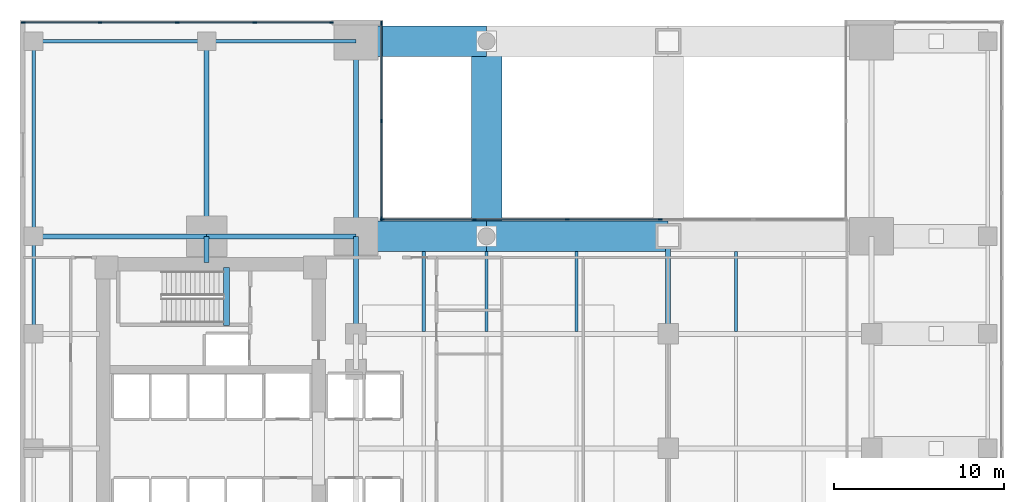
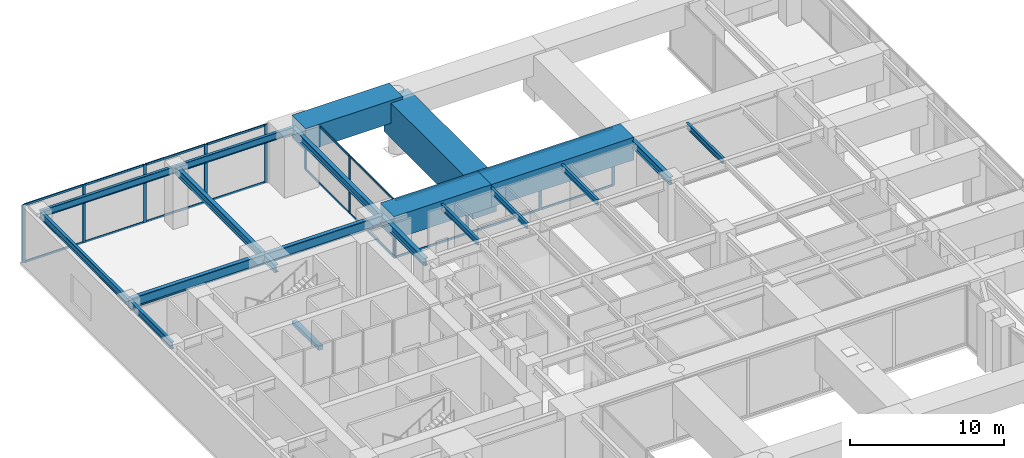
# One storey, part 5 of 13: 30 members, 20 beams, 3 elements without a shape of their own.
"""IFC4 building model written with IfcOpenShell, lengths in metres."""

from ifc_helpers import new_model, si_unit, direction, frame, origin, origin_2d, place, context, subcontext, project, spatial, rectangle, i_section, extrude, material, layer, layer_set, material_profile, profile_set, type_object, element, aggregate, save


model = new_model("IFC4")

# Units and contexts
model_context = context("Model", 3, precision=1e-05, world=origin(), true_north=direction((0.0, 1.0)))
body_context = subcontext(model_context, "Body", "Model", "MODEL_VIEW")
ifc_project = project(units=[si_unit("LENGTHUNIT", "METRE"), si_unit("AREAUNIT", "SQUARE_METRE"), si_unit("VOLUMEUNIT", "CUBIC_METRE"), si_unit("PLANEANGLEUNIT", "RADIAN"), si_unit("MASSUNIT", "GRAM", prefix="KILO")], contexts=[model_context])

# Site, building, storey
site_placement = place(None, origin())
site = spatial("IfcSite", under=ifc_project, at=site_placement, CompositionType="ELEMENT")
building_placement = place(site_placement, origin())
building = spatial("IfcBuilding", under=site, at=building_placement, Name="Kinhvarn Gate Tower", CompositionType="ELEMENT")
storey_placement = place(building_placement, frame((0.0, 0.0, 15.60009765625)))
storey = spatial("IfcBuildingStorey", under=building, at=storey_placement, Name="L03", CompositionType="ELEMENT", Elevation=15.60009765625)

# Beams
ifc_material_1 = material(Name="Concrete C50/60", Category="concrete")
ifc_material_profile_1 = material_profile(ifc_material_1, rectangle(XDim=0.340087890625, YDim=0.320068359375, at=origin_2d()), Name="RC 340x320")
ifc_profile_set_1 = profile_set([ifc_material_profile_1], Name="Concrete C50/60")
beam_type_1 = type_object("IfcBeamType", Name="BM-LND-500", PredefinedType="BEAM", material=ifc_profile_set_1)
beam_1_placement = place(storey_placement, frame((12.1650390625, 32.5, -0.16015625), z_axis=(0.0, 1.0, 0.0), x_axis=(-1.0, 0.0, 0.0)))
element("IfcBeam", 1, at=beam_1_placement, inside=storey, type_object=beam_type_1, Name="Stair ST2 Landing Nosing Beam (L03)", PredefinedType="BEAM", context=body_context, shape_type="SweptSolid", body=[
    extrude(rectangle(XDim=0.340087890625, YDim=0.320068359375, at=origin_2d()), origin(), (0.0, 0.0, 1.0), 3.39990234375),
])
ifc_material_2 = material(Name="Concrete C70/85", Category="concrete")
ifc_material_profile_2 = material_profile(ifc_material_2, rectangle(XDim=1.800048828125, YDim=1.800048828125, at=origin_2d()), Name="RC 1800x1800")
ifc_profile_set_2 = profile_set([ifc_material_profile_2], Name="Concrete C70/85")
beam_type_2 = type_object("IfcBeamType", Name="BM-TG-1800SQ", PredefinedType="BEAM", material=ifc_profile_set_2)
beam_2_placement = place(storey_placement, frame((20.199951171875, 37.75, 3.89990234375), z_axis=(1.0, 0.0, 0.0), x_axis=(0.0, 1.0, 0.0)))
element("IfcBeam", 2, at=beam_2_placement, inside=storey, type_object=beam_type_2, Name="Arch Box Transfer Girder TG-01B-3-1", PredefinedType="BEAM", context=body_context, shape_type="SweptSolid", body=[
    extrude(rectangle(XDim=1.800048828125, YDim=1.800048828125, at=origin_2d()), origin(), (0.0, 0.0, 1.0), 7.300048828125),
])
beam_3_placement = place(storey_placement, frame((27.5, 37.75, 3.89990234375), z_axis=(1.0, 0.0, 0.0), x_axis=(0.0, 1.0, 0.0)))
element("IfcBeam", 3, at=beam_3_placement, inside=storey, type_object=beam_type_2, Name="Arch Box Transfer Girder TG-01B-3-2", PredefinedType="BEAM", context=body_context, shape_type="SweptSolid", body=[
    extrude(rectangle(XDim=1.800048828125, YDim=1.800048828125, at=origin_2d()), origin(), (0.0, 0.0, 1.0), 10.699951171875),
])
beam_4_placement = place(storey_placement, frame((20.199951171875, 49.25, 3.89990234375), z_axis=(1.0, 0.0, 0.0), x_axis=(0.0, 1.0, 0.0)))
element("IfcBeam", 4, at=beam_4_placement, inside=storey, type_object=beam_type_2, Name="Arch Box Transfer Girder TG-01B-4-1", PredefinedType="BEAM", context=body_context, shape_type="SweptSolid", body=[
    extrude(rectangle(XDim=1.800048828125, YDim=1.800048828125, at=origin_2d()), origin(), (0.0, 0.0, 1.0), 7.300048828125),
])
ifc_material_profile_3 = material_profile(ifc_material_2, rectangle(XDim=1.800048828125, YDim=2.800048828125, at=origin_2d()), Name="RC 1800x2800")
ifc_profile_set_3 = profile_set([ifc_material_profile_3], Name="Concrete C70/85")
beam_type_3 = type_object("IfcBeamType", Name="BM-TG-2800", PredefinedType="BEAM", material=ifc_profile_set_3)
beam_5_placement = place(storey_placement, frame((27.5, 37.75, 3.199951171875), z_axis=(0.0, 1.0, 0.0), x_axis=(-1.0, 0.0, 0.0)))
element("IfcBeam", 5, at=beam_5_placement, inside=storey, type_object=beam_type_3, Name="Primary Transverse Arch Transfer Girder TG-01-X27-2", PredefinedType="BEAM", context=body_context, shape_type="SweptSolid", body=[
    extrude(rectangle(XDim=1.800048828125, YDim=2.800048828125, at=origin_2d()), origin(), (0.0, 0.0, 1.0), 11.5),
])

# Curtain wall, members
ifc_material_3 = material(Name="Anodised aluminium AW-6063", Category="aluminium")
ifc_layer = layer(ifc_material_3, 0.219970703125)
ifc_layer_set = layer_set([ifc_layer], Name="Anodised aluminium AW-6063")
curtain_wall_type = type_object("IfcCurtainWallType", Name="CW-SYS-1", PredefinedType="NOTDEFINED", material=ifc_layer_set)
curtain_wall_1_placement = place(storey_placement, origin())
curtain_wall_1 = element("IfcCurtainWall", 6, at=curtain_wall_1_placement, inside=storey, type_object=curtain_wall_type, Name="Curtain Wall CW1 (L03)", PredefinedType="NOTDEFINED")
ifc_material_profile_4 = material_profile(ifc_material_3, rectangle(XDim=0.080078125, YDim=0.219970703125, at=origin_2d()), Name="ALU 80x220")
ifc_profile_set_4 = profile_set([ifc_material_profile_4], Name="Anodised aluminium AW-6063")
member_type_1 = type_object("IfcMemberType", Name="CW-MUL-220", PredefinedType="MULLION", material=ifc_profile_set_4)
member_1_placement = place(storey_placement, frame((18.360107421875, 50.35009765625, 0.0), z_axis=(0.0, 0.0, 1.0), x_axis=(0.0, -1.0, 0.0)))
member_1 = element("IfcMember", 7, at=member_1_placement, type_object=member_type_1, Name="CW1 mullion 1", PredefinedType="MULLION", context=body_context, shape_type="SweptSolid", body=[
    extrude(rectangle(XDim=0.080078125, YDim=0.219970703125, at=origin_2d()), origin(), (0.0, 0.0, 1.0), 4.599853515625),
])
member_2_placement = place(storey_placement, frame((13.83740234375, 50.35009765625, 0.0), z_axis=(0.0, 0.0, 1.0), x_axis=(0.0, -1.0, 0.0)))
member_2 = element("IfcMember", 8, at=member_2_placement, type_object=member_type_1, Name="CW1 mullion 2", PredefinedType="MULLION", context=body_context, shape_type="SweptSolid", body=[
    extrude(rectangle(XDim=0.080078125, YDim=0.219970703125, at=origin_2d()), origin(), (0.0, 0.0, 1.0), 4.599853515625),
])
member_3_placement = place(storey_placement, frame((9.27490234375, 50.35009765625, 0.0), z_axis=(0.0, 0.0, 1.0), x_axis=(0.0, -1.0, 0.0)))
member_3 = element("IfcMember", 9, at=member_3_placement, type_object=member_type_1, Name="CW1 mullion 3", PredefinedType="MULLION", context=body_context, shape_type="SweptSolid", body=[
    extrude(rectangle(XDim=0.080078125, YDim=0.219970703125, at=origin_2d()), origin(), (0.0, 0.0, 1.0), 4.599853515625),
])
member_4_placement = place(storey_placement, frame((4.71240234375, 50.35009765625, 0.0), z_axis=(0.0, 0.0, 1.0), x_axis=(0.0, -1.0, 0.0)))
member_4 = element("IfcMember", 10, at=member_4_placement, type_object=member_type_1, Name="CW1 mullion 4", PredefinedType="MULLION", context=body_context, shape_type="SweptSolid", body=[
    extrude(rectangle(XDim=0.080078125, YDim=0.219970703125, at=origin_2d()), origin(), (0.0, 0.0, 1.0), 4.599853515625),
])
member_5_placement = place(storey_placement, frame((0.18994140625, 50.35009765625, 0.0), z_axis=(0.0, 0.0, 1.0), x_axis=(0.0, -1.0, 0.0)))
member_5 = element("IfcMember", 11, at=member_5_placement, type_object=member_type_1, Name="CW1 mullion 5", PredefinedType="MULLION", context=body_context, shape_type="SweptSolid", body=[
    extrude(rectangle(XDim=0.080078125, YDim=0.219970703125, at=origin_2d()), origin(), (0.0, 0.0, 1.0), 4.599853515625),
])

curtain_wall_2_placement = place(storey_placement, origin())
curtain_wall_2 = element("IfcCurtainWall", 12, at=curtain_wall_2_placement, inside=storey, type_object=curtain_wall_type, Name="Curtain Wall CW1 (L03)", PredefinedType="NOTDEFINED")
member_6_placement = place(storey_placement, frame((37.738037109375, 38.739990234375, 0.0), z_axis=(0.0, 0.0, 1.0), x_axis=(0.0, -1.0, 0.0)))
member_6 = element("IfcMember", 13, at=member_6_placement, type_object=member_type_1, Name="CW1 mullion 3", PredefinedType="MULLION", context=body_context, shape_type="SweptSolid", body=[
    extrude(rectangle(XDim=0.080078125, YDim=0.219970703125, at=origin_2d()), origin(), (0.0, 0.0, 1.0), 4.599853515625),
])
member_7_placement = place(storey_placement, frame((32.261962890625, 38.739990234375, 0.0), z_axis=(0.0, 0.0, 1.0), x_axis=(0.0, -1.0, 0.0)))
member_7 = element("IfcMember", 14, at=member_7_placement, type_object=member_type_1, Name="CW1 mullion 4", PredefinedType="MULLION", context=body_context, shape_type="SweptSolid", body=[
    extrude(rectangle(XDim=0.080078125, YDim=0.219970703125, at=origin_2d()), origin(), (0.0, 0.0, 1.0), 4.599853515625),
])
member_8_placement = place(storey_placement, frame((26.785888671875, 38.739990234375, 0.0), z_axis=(0.0, 0.0, 1.0), x_axis=(0.0, -1.0, 0.0)))
member_8 = element("IfcMember", 15, at=member_8_placement, type_object=member_type_1, Name="CW1 mullion 5", PredefinedType="MULLION", context=body_context, shape_type="SweptSolid", body=[
    extrude(rectangle(XDim=0.080078125, YDim=0.219970703125, at=origin_2d()), origin(), (0.0, 0.0, 1.0), 4.599853515625),
])
member_9_placement = place(storey_placement, frame((21.35009765625, 38.739990234375, 0.0), z_axis=(0.0, 0.0, 1.0), x_axis=(0.0, -1.0, 0.0)))
member_9 = element("IfcMember", 16, at=member_9_placement, type_object=member_type_1, Name="CW1 mullion 6", PredefinedType="MULLION", context=body_context, shape_type="SweptSolid", body=[
    extrude(rectangle(XDim=0.080078125, YDim=0.219970703125, at=origin_2d()), origin(), (0.0, 0.0, 1.0), 4.599853515625),
])

curtain_wall_3_placement = place(storey_placement, origin())
curtain_wall_3 = element("IfcCurtainWall", 17, at=curtain_wall_3_placement, inside=storey, type_object=curtain_wall_type, Name="Curtain Wall CW1 (L03)", PredefinedType="NOTDEFINED")
member_10_placement = place(storey_placement, frame((21.31005859375, 38.780029296875, 0.0), z_axis=(0.0, 0.0, 1.0), x_axis=(-1.0, 0.0, 0.0)))
member_10 = element("IfcMember", 18, at=member_10_placement, type_object=member_type_1, Name="CW1 mullion 1", PredefinedType="MULLION", context=body_context, shape_type="SweptSolid", body=[
    extrude(rectangle(XDim=0.080078125, YDim=0.219970703125, at=origin_2d()), origin(), (0.0, 0.0, 1.0), 4.599853515625),
])
member_11_placement = place(storey_placement, frame((21.31005859375, 44.544921875, 0.0), z_axis=(0.0, 0.0, 1.0), x_axis=(-1.0, 0.0, 0.0)))
member_11 = element("IfcMember", 19, at=member_11_placement, type_object=member_type_1, Name="CW1 mullion 2", PredefinedType="MULLION", context=body_context, shape_type="SweptSolid", body=[
    extrude(rectangle(XDim=0.080078125, YDim=0.219970703125, at=origin_2d()), origin(), (0.0, 0.0, 1.0), 4.599853515625),
])
member_12_placement = place(storey_placement, frame((21.31005859375, 50.31005859375, 0.0), z_axis=(0.0, 0.0, 1.0), x_axis=(-1.0, 0.0, 0.0)))
member_12 = element("IfcMember", 20, at=member_12_placement, type_object=member_type_1, Name="CW1 mullion 3", PredefinedType="MULLION", context=body_context, shape_type="SweptSolid", body=[
    extrude(rectangle(XDim=0.080078125, YDim=0.219970703125, at=origin_2d()), origin(), (0.0, 0.0, 1.0), 4.599853515625),
])

# Member
ifc_material_profile_5 = material_profile(ifc_material_3, rectangle(XDim=0.080078125, YDim=0.159912109375, at=origin_2d()), Name="ALU 80x160")
ifc_profile_set_5 = profile_set([ifc_material_profile_5], Name="Anodised aluminium AW-6063")
member_type_2 = type_object("IfcMemberType", Name="CW-TRN-160", PredefinedType="USERDEFINED", material=ifc_profile_set_5)
member_13_placement = place(storey_placement, frame((18.320068359375, 50.35009765625, 0.039794921875), z_axis=(-1.0, 0.0, 0.0), x_axis=(0.0, -1.0, 0.0)))
member_13 = element("IfcMember", 21, at=member_13_placement, type_object=member_type_2, Name="CW1 transom 1.1", ObjectType="TRANSOM", PredefinedType="USERDEFINED", context=body_context, shape_type="SweptSolid", body=[
    extrude(rectangle(XDim=0.080078125, YDim=0.159912109375, at=origin_2d()), origin(), (0.0, 0.0, 1.0), 4.442626953125),
])

member_14_placement = place(storey_placement, frame((18.320068359375, 50.35009765625, 4.559814453125), z_axis=(-1.0, 0.0, 0.0), x_axis=(0.0, -1.0, 0.0)))
member_14 = element("IfcMember", 22, at=member_14_placement, type_object=member_type_2, Name="CW1 transom 1.2", ObjectType="TRANSOM", PredefinedType="USERDEFINED", context=body_context, shape_type="SweptSolid", body=[
    extrude(rectangle(XDim=0.080078125, YDim=0.159912109375, at=origin_2d()), origin(), (0.0, 0.0, 1.0), 4.442626953125),
])

member_15_placement = place(storey_placement, frame((13.797607421875, 50.35009765625, 0.039794921875), z_axis=(-1.0, 0.0, 0.0), x_axis=(0.0, -1.0, 0.0)))
member_15 = element("IfcMember", 23, at=member_15_placement, type_object=member_type_2, Name="CW1 transom 2.1", ObjectType="TRANSOM", PredefinedType="USERDEFINED", context=body_context, shape_type="SweptSolid", body=[
    extrude(rectangle(XDim=0.080078125, YDim=0.159912109375, at=origin_2d()), origin(), (0.0, 0.0, 1.0), 4.482666015625),
])

member_16_placement = place(storey_placement, frame((13.797607421875, 50.35009765625, 4.559814453125), z_axis=(-1.0, 0.0, 0.0), x_axis=(0.0, -1.0, 0.0)))
member_16 = element("IfcMember", 24, at=member_16_placement, type_object=member_type_2, Name="CW1 transom 2.2", ObjectType="TRANSOM", PredefinedType="USERDEFINED", context=body_context, shape_type="SweptSolid", body=[
    extrude(rectangle(XDim=0.080078125, YDim=0.159912109375, at=origin_2d()), origin(), (0.0, 0.0, 1.0), 4.482666015625),
])

member_17_placement = place(storey_placement, frame((9.235107421875, 50.35009765625, 0.039794921875), z_axis=(-1.0, 0.0, 0.0), x_axis=(0.0, -1.0, 0.0)))
member_17 = element("IfcMember", 25, at=member_17_placement, type_object=member_type_2, Name="CW1 transom 3.1", ObjectType="TRANSOM", PredefinedType="USERDEFINED", context=body_context, shape_type="SweptSolid", body=[
    extrude(rectangle(XDim=0.080078125, YDim=0.159912109375, at=origin_2d()), origin(), (0.0, 0.0, 1.0), 4.482666015625),
])

member_18_placement = place(storey_placement, frame((9.235107421875, 50.35009765625, 4.559814453125), z_axis=(-1.0, 0.0, 0.0), x_axis=(0.0, -1.0, 0.0)))
member_18 = element("IfcMember", 26, at=member_18_placement, type_object=member_type_2, Name="CW1 transom 3.2", ObjectType="TRANSOM", PredefinedType="USERDEFINED", context=body_context, shape_type="SweptSolid", body=[
    extrude(rectangle(XDim=0.080078125, YDim=0.159912109375, at=origin_2d()), origin(), (0.0, 0.0, 1.0), 4.482666015625),
])

member_19_placement = place(storey_placement, frame((4.672607421875, 50.35009765625, 0.039794921875), z_axis=(-1.0, 0.0, 0.0), x_axis=(0.0, -1.0, 0.0)))
member_19 = element("IfcMember", 27, at=member_19_placement, type_object=member_type_2, Name="CW1 transom 4.1", ObjectType="TRANSOM", PredefinedType="USERDEFINED", context=body_context, shape_type="SweptSolid", body=[
    extrude(rectangle(XDim=0.080078125, YDim=0.159912109375, at=origin_2d()), origin(), (0.0, 0.0, 1.0), 4.442626953125),
])

member_20_placement = place(storey_placement, frame((4.672607421875, 50.35009765625, 4.559814453125), z_axis=(-1.0, 0.0, 0.0), x_axis=(0.0, -1.0, 0.0)))
member_20 = element("IfcMember", 28, at=member_20_placement, type_object=member_type_2, Name="CW1 transom 4.2", ObjectType="TRANSOM", PredefinedType="USERDEFINED", context=body_context, shape_type="SweptSolid", body=[
    extrude(rectangle(XDim=0.080078125, YDim=0.159912109375, at=origin_2d()), origin(), (0.0, 0.0, 1.0), 4.442626953125),
])

aggregate(curtain_wall_1, [member_1, member_2, member_3, member_4, member_5, member_13, member_14, member_15, member_16, member_17, member_18, member_19, member_20])

member_21_placement = place(storey_placement, frame((37.697998046875, 38.739990234375, 0.039794921875), z_axis=(-1.0, 0.0, 0.0), x_axis=(0.0, -1.0, 0.0)))
member_21 = element("IfcMember", 29, at=member_21_placement, type_object=member_type_2, Name="CW1 transom 3.1", ObjectType="TRANSOM", PredefinedType="USERDEFINED", context=body_context, shape_type="SweptSolid", body=[
    extrude(rectangle(XDim=0.080078125, YDim=0.159912109375, at=origin_2d()), origin(), (0.0, 0.0, 1.0), 5.39599609375),
])

member_22_placement = place(storey_placement, frame((37.697998046875, 38.739990234375, 4.559814453125), z_axis=(-1.0, 0.0, 0.0), x_axis=(0.0, -1.0, 0.0)))
member_22 = element("IfcMember", 30, at=member_22_placement, type_object=member_type_2, Name="CW1 transom 3.2", ObjectType="TRANSOM", PredefinedType="USERDEFINED", context=body_context, shape_type="SweptSolid", body=[
    extrude(rectangle(XDim=0.080078125, YDim=0.159912109375, at=origin_2d()), origin(), (0.0, 0.0, 1.0), 5.39599609375),
])

member_23_placement = place(storey_placement, frame((32.221923828125, 38.739990234375, 0.039794921875), z_axis=(-1.0, 0.0, 0.0), x_axis=(0.0, -1.0, 0.0)))
member_23 = element("IfcMember", 31, at=member_23_placement, type_object=member_type_2, Name="CW1 transom 4.1", ObjectType="TRANSOM", PredefinedType="USERDEFINED", context=body_context, shape_type="SweptSolid", body=[
    extrude(rectangle(XDim=0.080078125, YDim=0.159912109375, at=origin_2d()), origin(), (0.0, 0.0, 1.0), 5.39599609375),
])

member_24_placement = place(storey_placement, frame((32.221923828125, 38.739990234375, 4.559814453125), z_axis=(-1.0, 0.0, 0.0), x_axis=(0.0, -1.0, 0.0)))
member_24 = element("IfcMember", 32, at=member_24_placement, type_object=member_type_2, Name="CW1 transom 4.2", ObjectType="TRANSOM", PredefinedType="USERDEFINED", context=body_context, shape_type="SweptSolid", body=[
    extrude(rectangle(XDim=0.080078125, YDim=0.159912109375, at=origin_2d()), origin(), (0.0, 0.0, 1.0), 5.39599609375),
])

member_25_placement = place(storey_placement, frame((26.74609375, 38.739990234375, 0.039794921875), z_axis=(-1.0, 0.0, 0.0), x_axis=(0.0, -1.0, 0.0)))
member_25 = element("IfcMember", 33, at=member_25_placement, type_object=member_type_2, Name="CW1 transom 5.1", ObjectType="TRANSOM", PredefinedType="USERDEFINED", context=body_context, shape_type="SweptSolid", body=[
    extrude(rectangle(XDim=0.080078125, YDim=0.159912109375, at=origin_2d()), origin(), (0.0, 0.0, 1.0), 5.356201171875),
])

member_26_placement = place(storey_placement, frame((26.74609375, 38.739990234375, 4.559814453125), z_axis=(-1.0, 0.0, 0.0), x_axis=(0.0, -1.0, 0.0)))
member_26 = element("IfcMember", 34, at=member_26_placement, type_object=member_type_2, Name="CW1 transom 5.2", ObjectType="TRANSOM", PredefinedType="USERDEFINED", context=body_context, shape_type="SweptSolid", body=[
    extrude(rectangle(XDim=0.080078125, YDim=0.159912109375, at=origin_2d()), origin(), (0.0, 0.0, 1.0), 5.356201171875),
])

aggregate(curtain_wall_2, [member_6, member_7, member_8, member_9, member_21, member_22, member_23, member_24, member_25, member_26])

member_27_placement = place(storey_placement, frame((21.31005859375, 38.820068359375, 0.039794921875), z_axis=(0.0, 1.0, 0.0), x_axis=(-1.0, 0.0, 0.0)))
member_27 = element("IfcMember", 35, at=member_27_placement, type_object=member_type_2, Name="CW1 transom 1.1", ObjectType="TRANSOM", PredefinedType="USERDEFINED", context=body_context, shape_type="SweptSolid", body=[
    extrude(rectangle(XDim=0.080078125, YDim=0.159912109375, at=origin_2d()), origin(), (0.0, 0.0, 1.0), 5.684814453125),
])

member_28_placement = place(storey_placement, frame((21.31005859375, 38.820068359375, 4.559814453125), z_axis=(0.0, 1.0, 0.0), x_axis=(-1.0, 0.0, 0.0)))
member_28 = element("IfcMember", 36, at=member_28_placement, type_object=member_type_2, Name="CW1 transom 1.2", ObjectType="TRANSOM", PredefinedType="USERDEFINED", context=body_context, shape_type="SweptSolid", body=[
    extrude(rectangle(XDim=0.080078125, YDim=0.159912109375, at=origin_2d()), origin(), (0.0, 0.0, 1.0), 5.684814453125),
])

member_29_placement = place(storey_placement, frame((21.31005859375, 44.5849609375, 0.039794921875), z_axis=(0.0, 1.0, 0.0), x_axis=(-1.0, 0.0, 0.0)))
member_29 = element("IfcMember", 37, at=member_29_placement, type_object=member_type_2, Name="CW1 transom 2.1", ObjectType="TRANSOM", PredefinedType="USERDEFINED", context=body_context, shape_type="SweptSolid", body=[
    extrude(rectangle(XDim=0.080078125, YDim=0.159912109375, at=origin_2d()), origin(), (0.0, 0.0, 1.0), 5.68505859375),
])

member_30_placement = place(storey_placement, frame((21.31005859375, 44.5849609375, 4.559814453125), z_axis=(0.0, 1.0, 0.0), x_axis=(-1.0, 0.0, 0.0)))
member_30 = element("IfcMember", 38, at=member_30_placement, type_object=member_type_2, Name="CW1 transom 2.2", ObjectType="TRANSOM", PredefinedType="USERDEFINED", context=body_context, shape_type="SweptSolid", body=[
    extrude(rectangle(XDim=0.080078125, YDim=0.159912109375, at=origin_2d()), origin(), (0.0, 0.0, 1.0), 5.68505859375),
])

aggregate(curtain_wall_3, [member_10, member_11, member_12, member_27, member_28, member_29, member_30])

# Beams
ifc_material_4 = material(Name="Steel S355", Category="steel")
ifc_material_profile_6 = material_profile(ifc_material_4, i_section(OverallWidth=0.300048828125, OverallDepth=0.60009765625, WebThickness=0.015380859375, FlangeThickness=0.030029296875, at=origin_2d()), Name="HEB 600")
ifc_profile_set_6 = profile_set([ifc_material_profile_6], Name="Steel S355")
beam_type_4 = type_object("IfcBeamType", Name="STL-HEB600", PredefinedType="BEAM", material=ifc_profile_set_6)
beam_6_placement = place(storey_placement, frame((11.0, 36.199951171875, 4.2998046875), z_axis=(0.0, 1.0, 0.0), x_axis=(-1.0, 0.0, 0.0)))
element("IfcBeam", 39, at=beam_6_placement, inside=storey, type_object=beam_type_4, Name="Floor Beam PG-16 (L03 NS11-CN)", PredefinedType="BEAM", context=body_context, shape_type="SweptSolid", body=[
    extrude(i_section(OverallWidth=0.300048828125, OverallDepth=0.60009765625, WebThickness=0.015380859375, FlangeThickness=0.030029296875, at=origin_2d()), origin(), (0.0, 0.0, 1.0), 1.550048828125),
])
beam_7_placement = place(storey_placement, frame((11.0, 37.75, 4.2998046875), z_axis=(0.0, 1.0, 0.0), x_axis=(-1.0, 0.0, 0.0)))
element("IfcBeam", 40, at=beam_7_placement, inside=storey, type_object=beam_type_4, Name="Floor Beam PG-16 (L03 NS11-N)", PredefinedType="BEAM", context=body_context, shape_type="SweptSolid", body=[
    extrude(i_section(OverallWidth=0.300048828125, OverallDepth=0.60009765625, WebThickness=0.015380859375, FlangeThickness=0.030029296875, at=origin_2d()), origin(), (0.0, 0.0, 1.0), 11.5),
])
beam_8_placement = place(storey_placement, frame((19.800048828125, 32.0, 4.2998046875), z_axis=(0.0, 1.0, 0.0), x_axis=(-1.0, 0.0, 0.0)))
element("IfcBeam", 41, at=beam_8_placement, inside=storey, type_object=beam_type_4, Name="Floor Beam PG-16 (L03 APW-6)", PredefinedType="BEAM", context=body_context, shape_type="SweptSolid", body=[
    extrude(i_section(OverallWidth=0.300048828125, OverallDepth=0.60009765625, WebThickness=0.015380859375, FlangeThickness=0.030029296875, at=origin_2d()), origin(), (0.0, 0.0, 1.0), 5.75),
])
beam_9_placement = place(storey_placement, frame((19.800048828125, 37.75, 4.2998046875), z_axis=(0.0, 1.0, 0.0), x_axis=(-1.0, 0.0, 0.0)))
element("IfcBeam", 42, at=beam_9_placement, inside=storey, type_object=beam_type_4, Name="Floor Beam PG-16 (L03 APW-7)", PredefinedType="BEAM", context=body_context, shape_type="SweptSolid", body=[
    extrude(i_section(OverallWidth=0.300048828125, OverallDepth=0.60009765625, WebThickness=0.015380859375, FlangeThickness=0.030029296875, at=origin_2d()), origin(), (0.0, 0.0, 1.0), 11.5),
])
beam_10_placement = place(storey_placement, frame((38.199951171875, 32.0, 4.2998046875), z_axis=(0.0, 1.0, 0.0), x_axis=(-1.0, 0.0, 0.0)))
element("IfcBeam", 43, at=beam_10_placement, inside=storey, type_object=beam_type_4, Name="Floor Beam PG-16 (L03 POD-NS38-32)", PredefinedType="BEAM", context=body_context, shape_type="SweptSolid", body=[
    extrude(i_section(OverallWidth=0.300048828125, OverallDepth=0.60009765625, WebThickness=0.015380859375, FlangeThickness=0.030029296875, at=origin_2d()), origin(), (0.0, 0.0, 1.0), 5.75),
])
ifc_material_profile_7 = material_profile(ifc_material_4, i_section(OverallWidth=0.300048828125, OverallDepth=0.800048828125, WebThickness=0.017578125, FlangeThickness=0.032958984375, at=origin_2d()), Name="HEB 800")
ifc_profile_set_7 = profile_set([ifc_material_profile_7], Name="Steel S355")
beam_type_5 = type_object("IfcBeamType", Name="STL-HEB800", PredefinedType="BEAM", material=ifc_profile_set_7)
beam_11_placement = place(storey_placement, frame((0.800048828125, 37.75, 4.199951171875), z_axis=(1.0, 0.0, 0.0), x_axis=(0.0, 1.0, 0.0)))
element("IfcBeam", 44, at=beam_11_placement, inside=storey, type_object=beam_type_5, Name="Floor Beam PG-19 (L03 SPN-1)", PredefinedType="BEAM", context=body_context, shape_type="SweptSolid", body=[
    extrude(i_section(OverallWidth=0.300048828125, OverallDepth=0.800048828125, WebThickness=0.017578125, FlangeThickness=0.032958984375, at=origin_2d()), origin(), (0.0, 0.0, 1.0), 10.199951171875),
])
beam_12_placement = place(storey_placement, frame((11.0, 37.75, 4.199951171875), z_axis=(1.0, 0.0, 0.0), x_axis=(0.0, 1.0, 0.0)))
element("IfcBeam", 45, at=beam_12_placement, inside=storey, type_object=beam_type_5, Name="Floor Beam PG-19 (L03 SPN-2)", PredefinedType="BEAM", context=body_context, shape_type="SweptSolid", body=[
    extrude(i_section(OverallWidth=0.300048828125, OverallDepth=0.800048828125, WebThickness=0.017578125, FlangeThickness=0.032958984375, at=origin_2d()), origin(), (0.0, 0.0, 1.0), 8.800048828125),
])
ifc_material_profile_8 = material_profile(ifc_material_4, i_section(OverallWidth=0.18994140625, OverallDepth=0.449951171875, WebThickness=0.009521484375, FlangeThickness=0.0146484375, at=origin_2d()), Name="IPE 450")
ifc_profile_set_8 = profile_set([ifc_material_profile_8], Name="Steel S355")
beam_type_6 = type_object("IfcBeamType", Name="STL-IPE450", PredefinedType="JOIST", material=ifc_profile_set_8)
for number, where, z_axis, x_axis, name in (
    (46, (23.800048828125, 32.14990234375, 4.375), (0.0, 1.0, 0.0), (-1.0, 0.0, 0.0), "Floor Joist SB-06 (L03 POD-J238-32)"),
    (47, (27.5, 32.14990234375, 4.375), (0.0, 1.0, 0.0), (-1.0, 0.0, 0.0), "Floor Joist SB-06 (L03 POD-J275-32)"),
    (48, (32.800048828125, 32.14990234375, 4.375), (0.0, 1.0, 0.0), (-1.0, 0.0, 0.0), "Floor Joist SB-06 (L03 POD-J328-32)"),
    (49, (42.199951171875, 32.14990234375, 4.375), (0.0, 1.0, 0.0), (-1.0, 0.0, 0.0), "Floor Joist SB-06 (L03 POD-J422-32)"),
):
    element("IfcBeam", number, at=place(storey_placement, frame(where, z_axis=z_axis, x_axis=x_axis)), inside=storey, type_object=beam_type_6, Name=name, PredefinedType="JOIST", context=body_context, shape_type="SweptSolid", body=[
        extrude(i_section(OverallWidth=0.18994140625, OverallDepth=0.449951171875, WebThickness=0.009521484375, FlangeThickness=0.0146484375, at=origin_2d()), origin(), (0.0, 0.0, 1.0), 4.7001953125),
    ])
ifc_material_profile_9 = material_profile(ifc_material_4, i_section(OverallWidth=0.2099609375, OverallDepth=0.550048828125, WebThickness=0.010986328125, FlangeThickness=0.01708984375, at=origin_2d()), Name="IPE 550")
ifc_profile_set_9 = profile_set([ifc_material_profile_9], Name="Steel S355")
beam_type_7 = type_object("IfcBeamType", Name="STL-IPE550", PredefinedType="SPANDREL", material=ifc_profile_set_9)
beam_13_placement = place(storey_placement, frame((0.800048828125, 32.0, 4.324951171875), z_axis=(0.0, 1.0, 0.0), x_axis=(-1.0, 0.0, 0.0)))
element("IfcBeam", 50, at=beam_13_placement, inside=storey, type_object=beam_type_7, Name="Floor Spandrel SB-08 (L03 PERW-5)", PredefinedType="SPANDREL", context=body_context, shape_type="SweptSolid", body=[
    extrude(i_section(OverallWidth=0.2099609375, OverallDepth=0.550048828125, WebThickness=0.010986328125, FlangeThickness=0.01708984375, at=origin_2d()), origin(), (0.0, 0.0, 1.0), 5.75),
])
beam_14_placement = place(storey_placement, frame((0.800048828125, 37.75, 4.324951171875), z_axis=(0.0, 1.0, 0.0), x_axis=(-1.0, 0.0, 0.0)))
element("IfcBeam", 51, at=beam_14_placement, inside=storey, type_object=beam_type_7, Name="Floor Spandrel SB-08 (L03 PERW-6)", PredefinedType="SPANDREL", context=body_context, shape_type="SweptSolid", body=[
    extrude(i_section(OverallWidth=0.2099609375, OverallDepth=0.550048828125, WebThickness=0.010986328125, FlangeThickness=0.01708984375, at=origin_2d()), origin(), (0.0, 0.0, 1.0), 11.5),
])
beam_15_placement = place(storey_placement, frame((0.800048828125, 49.25, 4.324951171875), z_axis=(1.0, 0.0, 0.0), x_axis=(0.0, 1.0, 0.0)))
element("IfcBeam", 52, at=beam_15_placement, inside=storey, type_object=beam_type_7, Name="Floor Spandrel SB-08 (L03 SP-POD-NW1)", PredefinedType="SPANDREL", context=body_context, shape_type="SweptSolid", body=[
    extrude(i_section(OverallWidth=0.2099609375, OverallDepth=0.550048828125, WebThickness=0.010986328125, FlangeThickness=0.01708984375, at=origin_2d()), origin(), (0.0, 0.0, 1.0), 10.199951171875),
])
beam_16_placement = place(storey_placement, frame((11.0, 49.25, 4.324951171875), z_axis=(1.0, 0.0, 0.0), x_axis=(0.0, 1.0, 0.0)))
element("IfcBeam", 53, at=beam_16_placement, inside=storey, type_object=beam_type_7, Name="Floor Spandrel SB-08 (L03 SP-POD-NW2)", PredefinedType="SPANDREL", context=body_context, shape_type="SweptSolid", body=[
    extrude(i_section(OverallWidth=0.2099609375, OverallDepth=0.550048828125, WebThickness=0.010986328125, FlangeThickness=0.01708984375, at=origin_2d()), origin(), (0.0, 0.0, 1.0), 8.800048828125),
])

save(model, "model.ifc")
